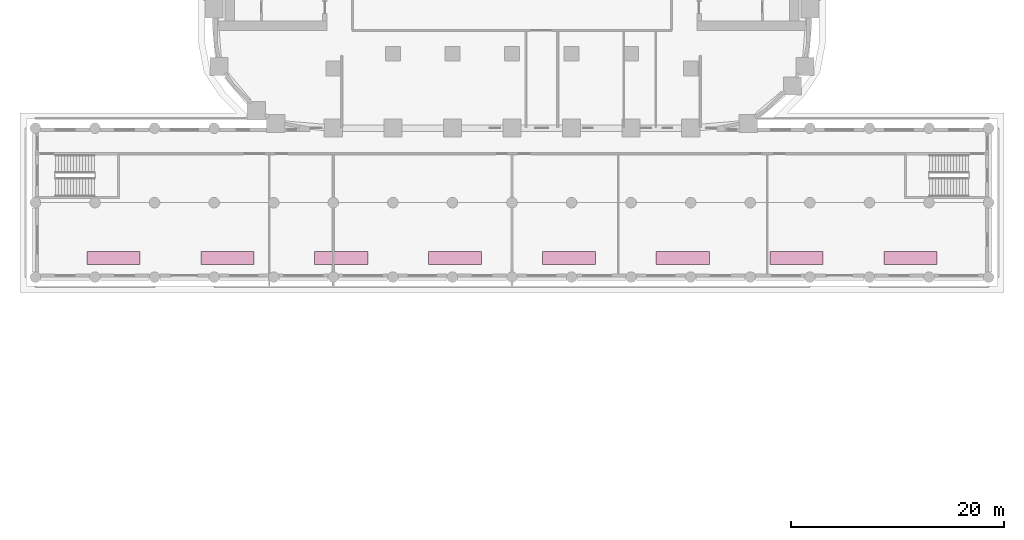
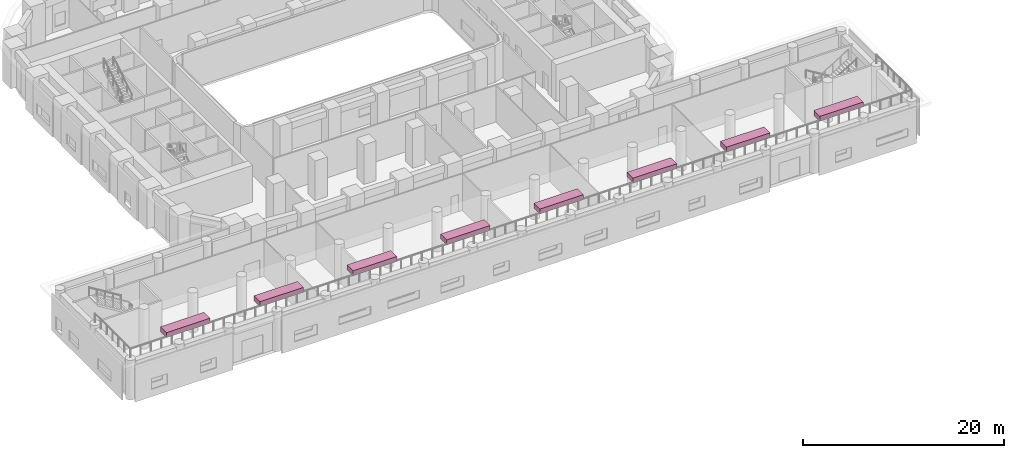
# One storey, part 35 of 35: 8 furnishings.
"""IFC4 building model written with IfcOpenShell, lengths in metres."""

from ifc_helpers import new_model, si_unit, direction, frame, origin, origin_2d, place, context, subcontext, project, spatial, rectangle, extrude, material, type_object, element, save


model = new_model("IFC4")

# Units and contexts
model_context = context("Model", 3, precision=1e-05, world=origin(), true_north=direction((0.0, 1.0)))
body_context = subcontext(model_context, "Body", "Model", "MODEL_VIEW")
ifc_project = project(units=[si_unit("LENGTHUNIT", "METRE"), si_unit("AREAUNIT", "SQUARE_METRE"), si_unit("VOLUMEUNIT", "CUBIC_METRE"), si_unit("PLANEANGLEUNIT", "RADIAN"), si_unit("MASSUNIT", "GRAM", prefix="KILO")], contexts=[model_context])

# Site, building, storey
site_placement = place(None, origin())
site = spatial("IfcSite", under=ifc_project, at=site_placement, CompositionType="ELEMENT")
building_placement = place(site_placement, origin())
building = spatial("IfcBuilding", under=site, at=building_placement, Name="Kiln Ring Residences", CompositionType="ELEMENT")
storey_placement = place(building_placement, frame((0.0, 0.0, 20.89990234375)))
storey = spatial("IfcBuildingStorey", under=building, at=storey_placement, Name="L04", CompositionType="ELEMENT", Elevation=20.89990234375)

# Furnishings
ifc_material = material(Name="Brick masonry, dark clay brick", Category="masonry")
furnishing_element_type = type_object("IfcFurnishingElementType", Name="PLANTER 1200 x 600", material=ifc_material)
for number, where, z_axis, x_axis, name in (
    (1, (-37.449951171875, -34.60009765625, 4.800048828125), (0.0, 0.0, 1.0), (1.0, 0.0, 0.0), "PLANTER L04 1"),
    (2, (-26.75, -34.60009765625, 4.800048828125), (0.0, 0.0, 1.0), (1.0, 0.0, 0.0), "PLANTER L04 2"),
    (3, (-16.050048828125, -34.60009765625, 4.800048828125), (0.0, 0.0, 1.0), (1.0, 0.0, 0.0), "PLANTER L04 3"),
    (4, (-5.35009765625, -34.60009765625, 4.800048828125), (0.0, 0.0, 1.0), (1.0, 0.0, 0.0), "PLANTER L04 4"),
    (5, (5.35009765625, -34.60009765625, 4.800048828125), (0.0, 0.0, 1.0), (1.0, 0.0, 0.0), "PLANTER L04 5"),
    (6, (16.050048828125, -34.60009765625, 4.800048828125), (0.0, 0.0, 1.0), (1.0, 0.0, 0.0), "PLANTER L04 6"),
    (7, (26.75, -34.60009765625, 4.800048828125), (0.0, 0.0, 1.0), (1.0, 0.0, 0.0), "PLANTER L04 7"),
    (8, (37.449951171875, -34.60009765625, 4.800048828125), (0.0, 0.0, 1.0), (1.0, 0.0, 0.0), "PLANTER L04 8"),
):
    element("IfcFurnishingElement", number, at=place(storey_placement, frame(where, z_axis=z_axis, x_axis=x_axis)), inside=storey, type_object=furnishing_element_type, Name=name, ObjectType="PLANTER", context=body_context, shape_type="SweptSolid", body=[
        extrude(rectangle(XDim=5.0, YDim=1.199951171875, at=origin_2d()), origin(), (0.0, 0.0, 1.0), 0.60009765625),
    ])

save(model, "model.ifc")
